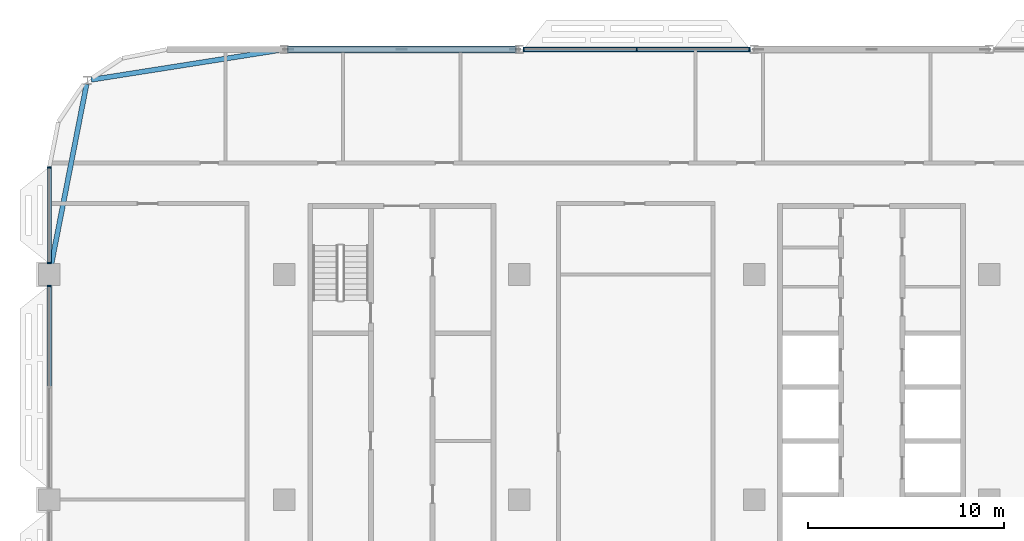
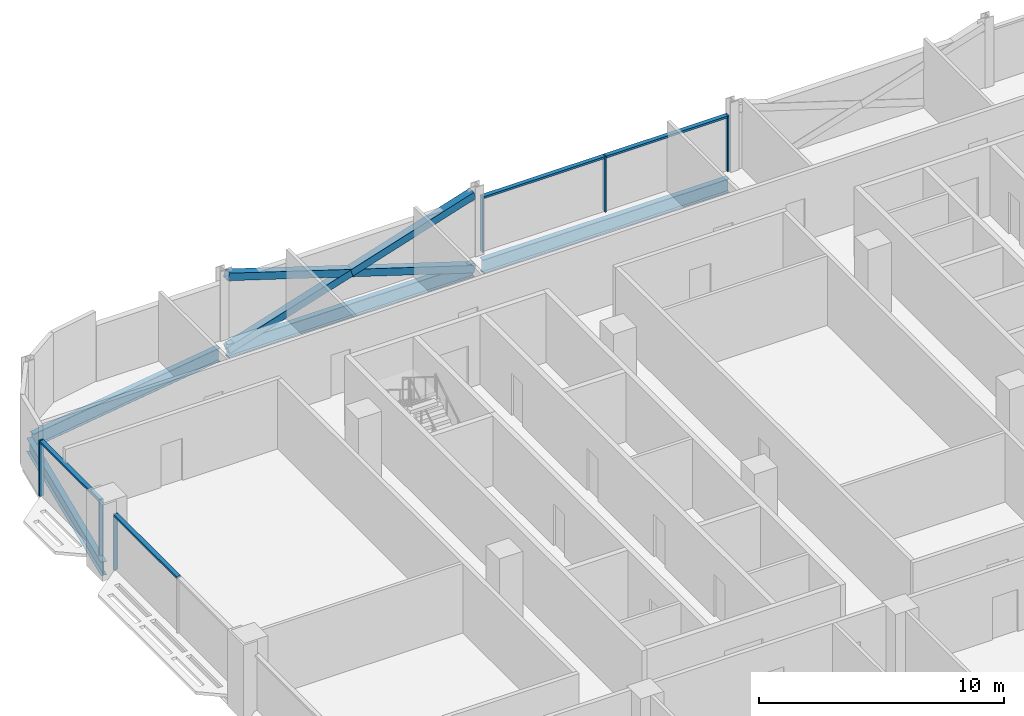
# One storey, part 7 of 30: 13 members, 4 beams, 3 elements without a shape of their own.
"""IFC4 building model written with IfcOpenShell, lengths in metres."""

from ifc_helpers import new_model, si_unit, direction, frame, origin, origin_2d, place, context, subcontext, project, spatial, rectangle, hollow_rectangle, i_section, extrude, material, material_profile, profile_set, type_object, element, aggregate, save


model = new_model("IFC4")

# Units and contexts
model_context = context("Model", 3, precision=1e-05, world=origin(), true_north=direction((0.0, 1.0)))
body_context = subcontext(model_context, "Body", "Model", "MODEL_VIEW")
ifc_project = project(units=[si_unit("LENGTHUNIT", "METRE"), si_unit("AREAUNIT", "SQUARE_METRE"), si_unit("VOLUMEUNIT", "CUBIC_METRE"), si_unit("PLANEANGLEUNIT", "RADIAN"), si_unit("MASSUNIT", "GRAM", prefix="KILO")], contexts=[model_context])

# Site, building, storey
site_placement = place(None, origin())
site = spatial("IfcSite", under=ifc_project, at=site_placement, CompositionType="ELEMENT")
building_placement = place(site_placement, origin())
building = spatial("IfcBuilding", under=site, at=building_placement, Name="Mahtab Terrace Research Tower", CompositionType="ELEMENT")
storey_placement = place(building_placement, frame((0.0, 0.0, 201.5)))
storey = spatial("IfcBuildingStorey", under=building, at=storey_placement, Name="L48", CompositionType="ELEMENT", Elevation=201.5)

# Members
ifc_material_1 = material(Name="Steel ASTM A500 Gr C", Category="steel")
ifc_material_profile_1 = material_profile(ifc_material_1, hollow_rectangle(XDim=0.355712890625, YDim=0.355712890625, WallThickness=0.015869140625, at=origin_2d()), Name="HSS14X14X5/8")
ifc_profile_set_1 = profile_set([ifc_material_profile_1], Name="Steel ASTM A500 Gr C")
member_type_1 = type_object("IfcMemberType", Name="HSS 14x14x5/8 brace XB141458", PredefinedType="BRACE", material=ifc_profile_set_1)
member_1_placement = place(storey_placement, frame((-18.20068359375, 23.0, -0.615478515625), z_axis=(-0.953343380425, 0.0, 0.301888057067), x_axis=(0.0, -1.0, 0.0)))
element("IfcMember", 1, at=member_1_placement, inside=storey, type_object=member_type_1, Name="Exoskeleton brace L48 07 a", PredefinedType="BRACE", context=body_context, shape_type="SweptSolid", body=[
    extrude(hollow_rectangle(XDim=0.355712890625, YDim=0.355712890625, WallThickness=0.015869140625, at=origin_2d()), origin(), (0.0, 0.0, 1.0), 12.166259765625),
])
for number, where, z_axis, x_axis, name in (
    (2, (-29.79931640625, 23.0, -0.615478515625), (0.953343380425, 0.0, 0.301888057067), (0.0, 1.0, 0.0), "Exoskeleton brace L48 07 b1"),
    (3, (-24.0, 23.0, 1.220947265625), (0.953343380425, 0.0, 0.301888057067), (0.0, 1.0, 0.0), "Exoskeleton brace L48 07 b2"),
):
    element("IfcMember", number, at=place(storey_placement, frame(where, z_axis=z_axis, x_axis=x_axis)), inside=storey, type_object=member_type_1, Name=name, PredefinedType="BRACE", context=body_context, shape_type="SweptSolid", body=[
        extrude(hollow_rectangle(XDim=0.355712890625, YDim=0.355712890625, WallThickness=0.015869140625, at=origin_2d()), origin(), (0.0, 0.0, 1.0), 6.083251953125),
    ])

# Curtain wall, members
ifc_material_2 = material(Name="Laboratory ribbon curtain wall")
curtain_wall_type = type_object("IfcCurtainWallType", Name="Laboratory ribbon curtain wall", PredefinedType="NOTDEFINED", material=ifc_material_2)
curtain_wall_1_placement = place(storey_placement, origin())
curtain_wall_1 = element("IfcCurtainWall", 4, at=curtain_wall_1_placement, inside=storey, type_object=curtain_wall_type, Name="EN.L48.3.8", PredefinedType="NOTDEFINED")
ifc_material_3 = material(Name="Natural anodised aluminium", Category="aluminium")
ifc_material_profile_2 = material_profile(ifc_material_3, rectangle(XDim=0.199951171875, YDim=0.06494140625, at=origin_2d()), Name="MULLION 65x200")
ifc_profile_set_2 = profile_set([ifc_material_profile_2], Name="Natural anodised aluminium")
member_type_2 = type_object("IfcMemberType", Name="Laboratory ribbon curtain wall mullion", PredefinedType="MULLION", material=ifc_profile_set_2)
member_2_placement = place(storey_placement, frame((-6.232421875, 23.0, 0.0), z_axis=(0.0, 0.0, 1.0), x_axis=(0.0, -1.0, 0.0)))
member_2 = element("IfcMember", 5, at=member_2_placement, type_object=member_type_2, Name="CWL-6 mullion 1", PredefinedType="MULLION", context=body_context, shape_type="SweptSolid", body=[
    extrude(rectangle(XDim=0.199951171875, YDim=0.06494140625, at=origin_2d()), origin(), (0.0, 0.0, 1.0), 2.78173828125),
])
member_3_placement = place(storey_placement, frame((-12.0, 23.0, 0.0), z_axis=(0.0, 0.0, 1.0), x_axis=(0.0, -1.0, 0.0)))
member_3 = element("IfcMember", 6, at=member_3_placement, type_object=member_type_2, Name="CWL-6 mullion 2", PredefinedType="MULLION", context=body_context, shape_type="SweptSolid", body=[
    extrude(rectangle(XDim=0.199951171875, YDim=0.06494140625, at=origin_2d()), origin(), (0.0, 0.0, 1.0), 2.78173828125),
])
member_4_placement = place(storey_placement, frame((-17.767578125, 23.0, 0.0), z_axis=(0.0, 0.0, 1.0), x_axis=(0.0, -1.0, 0.0)))
member_4 = element("IfcMember", 7, at=member_4_placement, type_object=member_type_2, Name="CWL-6 mullion 3", PredefinedType="MULLION", context=body_context, shape_type="SweptSolid", body=[
    extrude(rectangle(XDim=0.199951171875, YDim=0.06494140625, at=origin_2d()), origin(), (0.0, 0.0, 1.0), 2.78173828125),
])

curtain_wall_2_placement = place(storey_placement, origin())
curtain_wall_2 = element("IfcCurtainWall", 8, at=curtain_wall_2_placement, inside=storey, type_object=curtain_wall_type, Name="EN.L48.8.15", PredefinedType="NOTDEFINED")
member_5_placement = place(storey_placement, frame((-42.0, 16.967529296875, 0.0), z_axis=(0.0, 0.0, 1.0), x_axis=(1.0, 0.0, 0.0)))
member_5 = element("IfcMember", 9, at=member_5_placement, type_object=member_type_2, Name="CWL-6 mullion 1", PredefinedType="MULLION", context=body_context, shape_type="SweptSolid", body=[
    extrude(rectangle(XDim=0.199951171875, YDim=0.06494140625, at=origin_2d()), origin(), (0.0, 0.0, 1.0), 2.78173828125),
])
member_6_placement = place(storey_placement, frame((-42.0, 12.08251953125, 0.0), z_axis=(0.0, 0.0, 1.0), x_axis=(1.0, 0.0, 0.0)))
member_6 = element("IfcMember", 10, at=member_6_placement, type_object=member_type_2, Name="CWL-6 mullion 2", PredefinedType="MULLION", context=body_context, shape_type="SweptSolid", body=[
    extrude(rectangle(XDim=0.199951171875, YDim=0.06494140625, at=origin_2d()), origin(), (0.0, 0.0, 1.0), 2.78173828125),
])

# Curtain wall, member
curtain_wall_3_placement = place(storey_placement, origin())
curtain_wall_3 = element("IfcCurtainWall", 11, at=curtain_wall_3_placement, inside=storey, type_object=curtain_wall_type, Name="EN.L48.8.16", PredefinedType="NOTDEFINED")
member_7_placement = place(storey_placement, frame((-42.0, 10.91748046875, 0.0), z_axis=(0.0, 0.0, 1.0), x_axis=(1.0, 0.0, 0.0)))
member_7 = element("IfcMember", 12, at=member_7_placement, type_object=member_type_2, Name="CWL-6 mullion 1", PredefinedType="MULLION", context=body_context, shape_type="SweptSolid", body=[
    extrude(rectangle(XDim=0.199951171875, YDim=0.06494140625, at=origin_2d()), origin(), (0.0, 0.0, 1.0), 2.78173828125),
])

# Member
ifc_material_profile_3 = material_profile(ifc_material_3, rectangle(XDim=0.199951171875, YDim=0.10009765625, at=origin_2d()), Name="TRANSOM 100x200")
ifc_profile_set_3 = profile_set([ifc_material_profile_3], Name="Natural anodised aluminium")
member_type_3 = type_object("IfcMemberType", Name="Laboratory ribbon curtain wall transom", PredefinedType="USERDEFINED", material=ifc_profile_set_3)
member_8_placement = place(storey_placement, frame((-6.264892578125, 23.0, 2.731689453125), z_axis=(-1.0, 0.0, 0.0), x_axis=(0.0, -1.0, 0.0)))
member_8 = element("IfcMember", 13, at=member_8_placement, type_object=member_type_3, Name="CWL-6 transom 1", ObjectType="TRANSOM", PredefinedType="USERDEFINED", context=body_context, shape_type="SweptSolid", body=[
    extrude(rectangle(XDim=0.199951171875, YDim=0.10009765625, at=origin_2d()), origin(), (0.0, 0.0, 1.0), 5.70263671875),
])

member_9_placement = place(storey_placement, frame((-12.032470703125, 23.0, 2.731689453125), z_axis=(-1.0, 0.0, 0.0), x_axis=(0.0, -1.0, 0.0)))
member_9 = element("IfcMember", 14, at=member_9_placement, type_object=member_type_3, Name="CWL-6 transom 2", ObjectType="TRANSOM", PredefinedType="USERDEFINED", context=body_context, shape_type="SweptSolid", body=[
    extrude(rectangle(XDim=0.199951171875, YDim=0.10009765625, at=origin_2d()), origin(), (0.0, 0.0, 1.0), 5.70263671875),
])

aggregate(curtain_wall_1, [member_2, member_3, member_4, member_8, member_9])

member_10_placement = place(storey_placement, frame((-42.0, 16.93505859375, 2.731689453125), z_axis=(0.0, -1.0, 0.0), x_axis=(1.0, 0.0, 0.0)))
member_10 = element("IfcMember", 15, at=member_10_placement, type_object=member_type_3, Name="CWL-6 transom 1", ObjectType="TRANSOM", PredefinedType="USERDEFINED", context=body_context, shape_type="SweptSolid", body=[
    extrude(rectangle(XDim=0.199951171875, YDim=0.10009765625, at=origin_2d()), origin(), (0.0, 0.0, 1.0), 4.820068359375),
])

aggregate(curtain_wall_2, [member_5, member_6, member_10])

member_11_placement = place(storey_placement, frame((-42.0, 10.885009765625, 2.731689453125), z_axis=(0.0, -1.0, 0.0), x_axis=(1.0, 0.0, 0.0)))
member_11 = element("IfcMember", 16, at=member_11_placement, type_object=member_type_3, Name="CWL-6 transom 1", ObjectType="TRANSOM", PredefinedType="USERDEFINED", context=body_context, shape_type="SweptSolid", body=[
    extrude(rectangle(XDim=0.199951171875, YDim=0.10009765625, at=origin_2d()), origin(), (0.0, 0.0, 1.0), 5.1025390625),
])

aggregate(curtain_wall_3, [member_7, member_11])

# Beams
ifc_material_4 = material(Name="Steel ASTM A992 Gr 50", Category="steel")
ifc_material_profile_4 = material_profile(ifc_material_4, i_section(OverallWidth=0.25390625, OverallDepth=0.67822265625, WebThickness=0.01171875, FlangeThickness=0.016357421875, at=origin_2d()), Name="W27X84")
ifc_profile_set_4 = profile_set([ifc_material_profile_4], Name="Steel ASTM A992 Gr 50")
beam_type = type_object("IfcBeamType", Name="W27x84 beam BS2784", PredefinedType="BEAM", material=ifc_profile_set_4)
for number, where, z_axis, x_axis, name in (
    (17, (-6.20068359375, 23.0, -0.67919921875), (-1.0, 0.0, 0.0), (0.0, -1.0, 0.0), "Spandrel beam L48 06"),
    (18, (-18.20068359375, 23.0, -0.67919921875), (-1.0, 0.0, 0.0), (0.0, -1.0, 0.0), "Spandrel beam L48 07"),
):
    element("IfcBeam", number, at=place(storey_placement, frame(where, z_axis=z_axis, x_axis=x_axis)), inside=storey, type_object=beam_type, Name=name, PredefinedType="BEAM", context=body_context, shape_type="SweptSolid", body=[
        extrude(i_section(OverallWidth=0.25390625, OverallDepth=0.67822265625, WebThickness=0.01171875, FlangeThickness=0.016357421875, at=origin_2d()), origin(), (0.0, 0.0, 1.0), 11.5986328125),
    ])
beam_1_placement = place(storey_placement, frame((-30.20068359375, 22.968505859375, -0.67919921875), z_axis=(-0.987831689273, -0.155526697604, 0.0), x_axis=(0.155526697604, -0.987831689273, 0.0)))
element("IfcBeam", 19, at=beam_1_placement, inside=storey, type_object=beam_type, Name="Spandrel beam L48 08", PredefinedType="BEAM", context=body_context, shape_type="SweptSolid", body=[
    extrude(i_section(OverallWidth=0.25390625, OverallDepth=0.67822265625, WebThickness=0.01171875, FlangeThickness=0.016357421875, at=origin_2d()), origin(), (0.0, 0.0, 1.0), 9.779541015625),
])
beam_2_placement = place(storey_placement, frame((-40.10107421875, 21.216552734375, -0.67919921875), z_axis=(-0.191811291145, -0.981431825747, 0.0), x_axis=(0.981431825747, -0.191811291145, 0.0)))
element("IfcBeam", 20, at=beam_2_placement, inside=storey, type_object=beam_type, Name="Spandrel beam L48 09", PredefinedType="BEAM", context=body_context, shape_type="SweptSolid", body=[
    extrude(i_section(OverallWidth=0.25390625, OverallDepth=0.67822265625, WebThickness=0.01171875, FlangeThickness=0.016357421875, at=origin_2d()), origin(), (0.0, 0.0, 1.0), 9.33984375),
])

save(model, "model.ifc")
